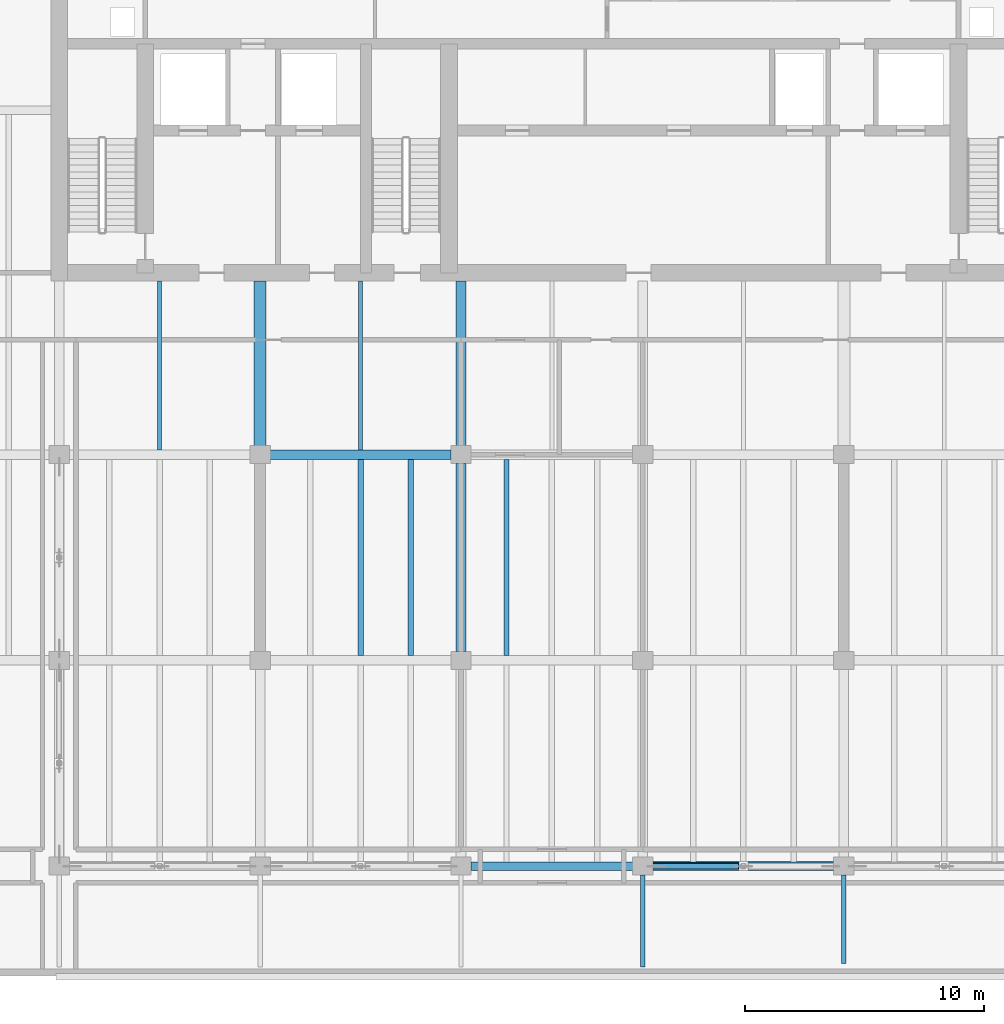
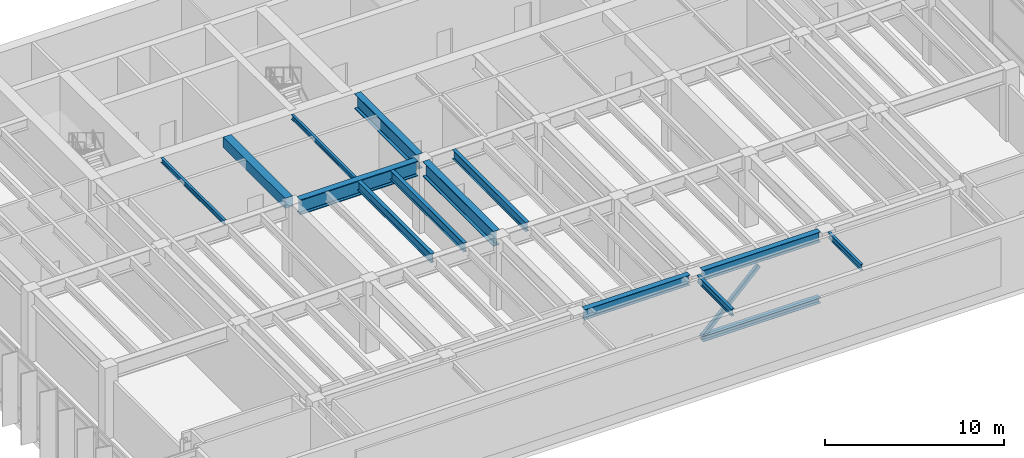
# One storey, part 5 of 23: 14 beams, 1 member.
"""IFC4 building model written with IfcOpenShell, lengths in metres."""

from ifc_helpers import new_model, si_unit, direction, frame, origin, origin_2d, place, context, subcontext, project, spatial, rectangle, hollow_rectangle, i_section, extrude, material, material_profile, profile_set, type_object, element, save


model = new_model("IFC4")

# Units and contexts
model_context = context("Model", 3, precision=1e-05, world=origin(), true_north=direction((0.0, 1.0)))
body_context = subcontext(model_context, "Body", "Model", "MODEL_VIEW")
ifc_project = project(units=[si_unit("LENGTHUNIT", "METRE"), si_unit("AREAUNIT", "SQUARE_METRE"), si_unit("VOLUMEUNIT", "CUBIC_METRE"), si_unit("PLANEANGLEUNIT", "RADIAN"), si_unit("MASSUNIT", "GRAM", prefix="KILO")], contexts=[model_context])

# Site, building, storey
site_placement = place(None, origin())
site = spatial("IfcSite", under=ifc_project, at=site_placement, CompositionType="ELEMENT")
building_placement = place(site_placement, origin())
building = spatial("IfcBuilding", under=site, at=building_placement, Name="Caelmar Bay Residences", CompositionType="ELEMENT")
storey_placement = place(building_placement, frame((0.0, 0.0, 221.39990234375)))
storey = spatial("IfcBuildingStorey", under=building, at=storey_placement, Name="L62", CompositionType="ELEMENT", Elevation=221.39990234375)

# Beams
ifc_material_1 = material(Name="Steel ASTM A992 Grade 50", Category="steel")
ifc_material_profile_1 = material_profile(ifc_material_1, i_section(OverallWidth=0.177978515625, OverallDepth=0.406005859375, WebThickness=0.0078125, FlangeThickness=0.0126953125, FilletRadius=0.0087890625, at=origin_2d()), Name="W16X40")
ifc_profile_set_1 = profile_set([ifc_material_profile_1], Name="Steel ASTM A992 Grade 50")
beam_type_1 = type_object("IfcBeamType", Name="BM-BAL-W16X40", PredefinedType="JOIST", material=ifc_profile_set_1)
beam_1_placement = place(storey_placement, frame((51.10009765625, 11.8349609375, 4.63720703125), z_axis=(0.0, -1.0, 0.0), x_axis=(1.0, 0.0, 0.0)))
element("IfcBeam", 1, at=beam_1_placement, inside=storey, type_object=beam_type_1, Name="L63 South Balcony Cantilever Bracket 5", PredefinedType="JOIST", context=body_context, shape_type="SweptSolid", body=[
    extrude(i_section(OverallWidth=0.177978515625, OverallDepth=0.406005859375, WebThickness=0.0078125, FlangeThickness=0.0126953125, FilletRadius=0.0087890625, at=origin_2d()), origin(), (0.0, 0.0, 1.0), 3.699462890625),
])
ifc_material_profile_2 = material_profile(ifc_material_1, i_section(OverallWidth=0.193115234375, OverallDepth=0.467041015625, WebThickness=0.011474609375, FlangeThickness=0.01904296875, FilletRadius=0.01025390625, at=origin_2d()), Name="W18X65")
ifc_profile_set_2 = profile_set([ifc_material_profile_2], Name="Steel ASTM A992 Grade 50")
beam_type_2 = type_object("IfcBeamType", Name="BM-BAL-W18X65", PredefinedType="BEAM", material=ifc_profile_set_2)
beam_2_placement = place(storey_placement, frame((42.699951171875, 11.8349609375, 4.606689453125), z_axis=(0.0, -1.0, 0.0), x_axis=(1.0, 0.0, 0.0)))
element("IfcBeam", 2, at=beam_2_placement, inside=storey, type_object=beam_type_2, Name="L63 South Balcony Cantilever Bracket 4", PredefinedType="BEAM", context=body_context, shape_type="SweptSolid", body=[
    extrude(i_section(OverallWidth=0.193115234375, OverallDepth=0.467041015625, WebThickness=0.011474609375, FlangeThickness=0.01904296875, FilletRadius=0.01025390625, at=origin_2d()), origin(), (0.0, 0.0, 1.0), 3.849853515625),
])
ifc_material_profile_3 = material_profile(ifc_material_1, i_section(OverallWidth=0.373046875, OverallDepth=0.373046875, WebThickness=0.016357421875, FlangeThickness=0.026123046875, FilletRadius=0.01513671875, at=origin_2d()), Name="W14X132")
ifc_profile_set_3 = profile_set([ifc_material_profile_3], Name="Steel ASTM A992 Grade 50")
beam_type_3 = type_object("IfcBeamType", Name="BM-CHD-W14X132", PredefinedType="BEAM", material=ifc_profile_set_3)
beam_3_placement = place(storey_placement, frame((43.114990234375, 12.199951171875, 0.1865234375), z_axis=(1.0, 0.0, 0.0), x_axis=(0.0, 1.0, 0.0)))
element("IfcBeam", 3, at=beam_3_placement, inside=storey, type_object=beam_type_3, Name="L62 Belt-Truss Bottom Chord 3", PredefinedType="BEAM", context=body_context, shape_type="SweptSolid", body=[
    extrude(i_section(OverallWidth=0.373046875, OverallDepth=0.373046875, WebThickness=0.016357421875, FlangeThickness=0.026123046875, FilletRadius=0.01513671875, at=origin_2d()), origin(), (0.0, 0.0, 1.0), 7.570068359375),
])
ifc_material_profile_4 = material_profile(ifc_material_1, i_section(OverallWidth=0.404052734375, OverallDepth=1.02099609375, WebThickness=0.025390625, FlangeThickness=0.0458984375, FilletRadius=0.02294921875, at=origin_2d()), Name="W40X324")
ifc_profile_set_4 = profile_set([ifc_material_profile_4], Name="Steel ASTM A992 Grade 50")
beam_type_4 = type_object("IfcBeamType", Name="BM-GRD-W40X324", PredefinedType="BEAM", material=ifc_profile_set_4)
beam_4_placement = place(storey_placement, frame((27.114990234375, 29.39990234375, 4.339599609375), z_axis=(1.0, 0.0, 0.0), x_axis=(0.0, 1.0, 0.0)))
element("IfcBeam", 4, at=beam_4_placement, inside=storey, type_object=beam_type_4, Name="L62 East-West Girder Y=29.40 (26.7-35.1)", PredefinedType="BEAM", context=body_context, shape_type="SweptSolid", body=[
    extrude(i_section(OverallWidth=0.404052734375, OverallDepth=1.02099609375, WebThickness=0.025390625, FlangeThickness=0.0458984375, FilletRadius=0.02294921875, at=origin_2d()), origin(), (0.0, 0.0, 1.0), 7.570068359375),
])
beam_5_placement = place(storey_placement, frame((35.10009765625, 29.764892578125, 4.339599609375), z_axis=(0.0, 1.0, 0.0), x_axis=(-1.0, 0.0, 0.0)))
element("IfcBeam", 5, at=beam_5_placement, inside=storey, type_object=beam_type_4, Name="L62 Core Tie Girder X=35.10", PredefinedType="BEAM", context=body_context, shape_type="SweptSolid", body=[
    extrude(i_section(OverallWidth=0.404052734375, OverallDepth=1.02099609375, WebThickness=0.025390625, FlangeThickness=0.0458984375, FilletRadius=0.02294921875, at=origin_2d()), origin(), (0.0, 0.0, 1.0), 6.885009765625),
])
beam_6_placement = place(storey_placement, frame((35.10009765625, 21.1650390625, 4.339599609375), z_axis=(0.0, 1.0, 0.0), x_axis=(-1.0, 0.0, 0.0)))
element("IfcBeam", 6, at=beam_6_placement, inside=storey, type_object=beam_type_4, Name="L62 North-South Girder X=35.10 (20.8-29.4)", PredefinedType="BEAM", context=body_context, shape_type="SweptSolid", body=[
    extrude(i_section(OverallWidth=0.404052734375, OverallDepth=1.02099609375, WebThickness=0.025390625, FlangeThickness=0.0458984375, FilletRadius=0.02294921875, at=origin_2d()), origin(), (0.0, 0.0, 1.0), 7.869873046875),
])
ifc_material_profile_5 = material_profile(ifc_material_1, i_section(OverallWidth=0.1650390625, OverallDepth=0.31005859375, WebThickness=0.005859375, FlangeThickness=0.009765625, FilletRadius=0.007568359375, at=origin_2d()), Name="W12X26")
ifc_profile_set_5 = profile_set([ifc_material_profile_5], Name="Steel ASTM A992 Grade 50")
beam_type_5 = type_object("IfcBeamType", Name="BM-JST-W12X26", PredefinedType="JOIST", material=ifc_profile_set_5)
for number, where, z_axis, x_axis, name in (
    (7, (22.5, 29.60205078125, 4.695068359375), (0.0, 1.0, 0.0), (-1.0, 0.0, 0.0), "L62 Core-Band Composite Joist 37"),
    (8, (30.89990234375, 29.60205078125, 4.695068359375), (0.0, 1.0, 0.0), (-1.0, 0.0, 0.0), "L62 Core-Band Composite Joist 38"),
):
    element("IfcBeam", number, at=place(storey_placement, frame(where, z_axis=z_axis, x_axis=x_axis)), inside=storey, type_object=beam_type_5, Name=name, PredefinedType="JOIST", context=body_context, shape_type="SweptSolid", body=[
        extrude(i_section(OverallWidth=0.1650390625, OverallDepth=0.31005859375, WebThickness=0.005859375, FlangeThickness=0.009765625, FilletRadius=0.007568359375, at=origin_2d()), origin(), (0.0, 0.0, 1.0), 7.0478515625),
    ])
ifc_material_profile_6 = material_profile(ifc_material_1, i_section(OverallWidth=0.22900390625, OverallDepth=0.612060546875, WebThickness=0.011962890625, FlangeThickness=0.01953125, FilletRadius=0.0126953125, at=origin_2d()), Name="W24X84")
ifc_profile_set_6 = profile_set([ifc_material_profile_6], Name="Steel ASTM A992 Grade 50")
beam_type_6 = type_object("IfcBeamType", Name="BM-JST-W24X84", PredefinedType="JOIST", material=ifc_profile_set_6)
for number, where, z_axis, x_axis, name in (
    (9, (30.89990234375, 21.001953125, 4.544189453125), (0.0, 1.0, 0.0), (-1.0, 0.0, 0.0), "L62 Composite Floor Joist 23"),
    (10, (33.0, 21.001953125, 4.544189453125), (0.0, 1.0, 0.0), (-1.0, 0.0, 0.0), "L62 Composite Floor Joist 24"),
    (11, (37.0, 21.001953125, 4.544189453125), (0.0, 1.0, 0.0), (-1.0, 0.0, 0.0), "L62 Composite Floor Joist 25"),
):
    element("IfcBeam", number, at=place(storey_placement, frame(where, z_axis=z_axis, x_axis=x_axis)), inside=storey, type_object=beam_type_6, Name=name, PredefinedType="JOIST", context=body_context, shape_type="SweptSolid", body=[
        extrude(i_section(OverallWidth=0.22900390625, OverallDepth=0.612060546875, WebThickness=0.011962890625, FlangeThickness=0.01953125, FilletRadius=0.0126953125, at=origin_2d()), origin(), (0.0, 0.0, 1.0), 8.196044921875),
    ])
ifc_material_2 = material(Name="Concrete f'c 55 MPa (8,000 psi)", Category="concrete")
ifc_material_profile_7 = material_profile(ifc_material_2, rectangle(XDim=0.5, YDim=0.699951171875, at=origin_2d()), Name="RC-BM-500X700")
ifc_profile_set_7 = profile_set([ifc_material_profile_7], Name="Concrete f'c 55 MPa (8,000 psi)")
beam_type_7 = type_object("IfcBeamType", Name="BM-RC-500X700", PredefinedType="LINTEL", material=ifc_profile_set_7)
beam_7_placement = place(storey_placement, frame((26.699951171875, 29.764892578125, 4.5), z_axis=(0.0, 1.0, 0.0), x_axis=(-1.0, 0.0, 0.0)))
element("IfcBeam", 12, at=beam_7_placement, inside=storey, type_object=beam_type_7, Name="L62 Shear-Wall Corridor Coupling Lintel W5", PredefinedType="LINTEL", context=body_context, shape_type="SweptSolid", body=[
    extrude(rectangle(XDim=0.5, YDim=0.699951171875, at=origin_2d()), origin(), (0.0, 0.0, 1.0), 6.885009765625),
])
ifc_material_profile_8 = material_profile(ifc_material_1, i_section(OverallWidth=0.35595703125, OverallDepth=0.696044921875, WebThickness=0.015380859375, FlangeThickness=0.02490234375, FilletRadius=0.01513671875, at=origin_2d()), Name="W27X146")
ifc_profile_set_8 = profile_set([ifc_material_profile_8], Name="Steel ASTM A992 Grade 50")
beam_type_8 = type_object("IfcBeamType", Name="BM-SPN-W27X146", PredefinedType="SPANDREL", material=ifc_profile_set_8)
beam_8_placement = place(storey_placement, frame((35.514892578125, 12.199951171875, 4.502197265625), z_axis=(1.0, 0.0, 0.0), x_axis=(0.0, 1.0, 0.0)))
element("IfcBeam", 13, at=beam_8_placement, inside=storey, type_object=beam_type_8, Name="L62 East-West Girder Y=12.20 (35.1-42.7)", PredefinedType="SPANDREL", context=body_context, shape_type="SweptSolid", body=[
    extrude(i_section(OverallWidth=0.35595703125, OverallDepth=0.696044921875, WebThickness=0.015380859375, FlangeThickness=0.02490234375, FilletRadius=0.01513671875, at=origin_2d()), origin(), (0.0, 0.0, 1.0), 6.77001953125),
])
beam_9_placement = place(storey_placement, frame((43.114990234375, 12.199951171875, 4.502197265625), z_axis=(1.0, 0.0, 0.0), x_axis=(0.0, 1.0, 0.0)))
element("IfcBeam", 14, at=beam_9_placement, inside=storey, type_object=beam_type_8, Name="L62 East-West Girder Y=12.20 (42.7-51.1)", PredefinedType="SPANDREL", context=body_context, shape_type="SweptSolid", body=[
    extrude(i_section(OverallWidth=0.35595703125, OverallDepth=0.696044921875, WebThickness=0.015380859375, FlangeThickness=0.02490234375, FilletRadius=0.01513671875, at=origin_2d()), origin(), (0.0, 0.0, 1.0), 7.570068359375),
])

# Member
ifc_material_3 = material(Name="Steel ASTM A500 Grade C", Category="steel")
ifc_material_profile_9 = material_profile(ifc_material_3, hollow_rectangle(XDim=0.25390625, YDim=0.25390625, WallThickness=0.014892578125, InnerFilletRadius=0.014892578125, OuterFilletRadius=0.029541015625, at=origin_2d()), Name="HSS250X250X15.9")
ifc_profile_set_9 = profile_set([ifc_material_profile_9], Name="Steel ASTM A500 Grade C")
member_type = type_object("IfcMemberType", Name="MEM-BRC-HSS250", PredefinedType="BRACE", material=ifc_profile_set_9)
member_placement = place(storey_placement, frame((43.114990234375, 12.199951171875, 0.22021484375), z_axis=(0.711098102915, 0.0, 0.703092801863), x_axis=(0.0, 1.0, 0.0)))
element("IfcMember", 15, at=member_placement, inside=storey, type_object=member_type, Name="L62 Belt-Truss Chevron 3A", PredefinedType="BRACE", context=body_context, shape_type="SweptSolid", body=[
    extrude(hollow_rectangle(XDim=0.25390625, YDim=0.25390625, WallThickness=0.014892578125, InnerFilletRadius=0.014892578125, OuterFilletRadius=0.029541015625, at=origin_2d()), origin(), (0.0, 0.0, 1.0), 5.154052734375),
])

save(model, "model.ifc")
